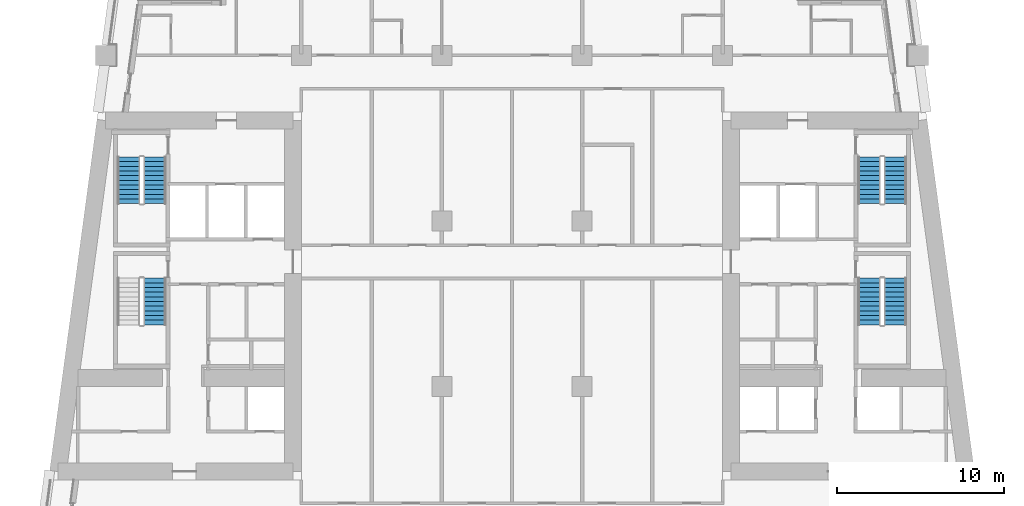
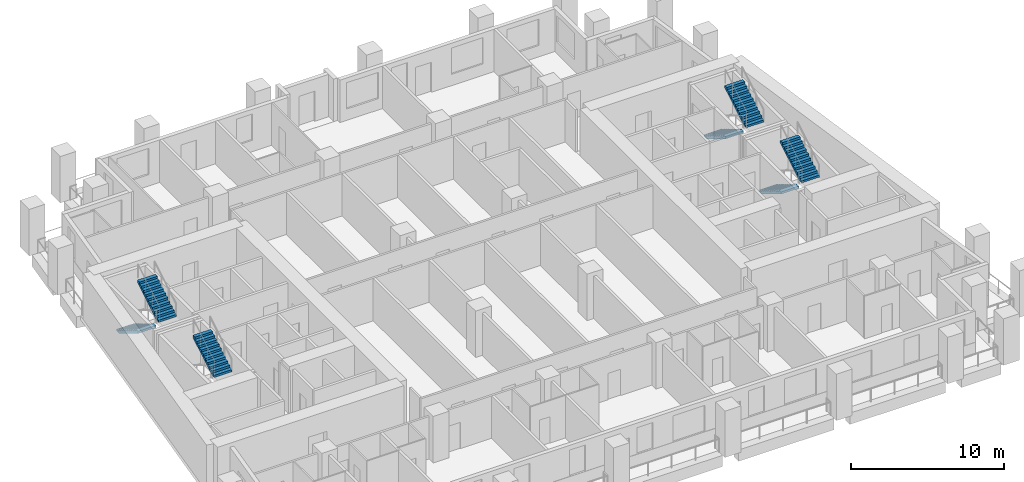
# One storey, part 8 of 13: 7 stair flights, 4 elements without a shape of their own.
"""IFC4 building model written with IfcOpenShell, lengths in metres."""

from ifc_helpers import new_model, si_unit, direction, frame, origin, place, context, subcontext, project, spatial, polyline, outline, extrude, material, type_object, element, aggregate, save


model = new_model("IFC4")

# Units and contexts
model_context = context("Model", 3, precision=1e-05, world=origin(), true_north=direction((0.0, 1.0)))
body_context = subcontext(model_context, "Body", "Model", "MODEL_VIEW")
ifc_project = project(units=[si_unit("LENGTHUNIT", "METRE"), si_unit("AREAUNIT", "SQUARE_METRE"), si_unit("VOLUMEUNIT", "CUBIC_METRE"), si_unit("PLANEANGLEUNIT", "RADIAN"), si_unit("MASSUNIT", "GRAM", prefix="KILO")], contexts=[model_context])

# Site, building, storey
site_placement = place(None, origin())
site = spatial("IfcSite", under=ifc_project, at=site_placement, CompositionType="ELEMENT")
building_placement = place(site_placement, origin())
building = spatial("IfcBuilding", under=site, at=building_placement, Name="Candeia Pilgrim Tower and Theatre", CompositionType="ELEMENT")
storey_placement = place(building_placement, frame((0.0, 0.0, 105.800048828125)))
storey = spatial("IfcBuildingStorey", under=building, at=storey_placement, Name="L24", CompositionType="ELEMENT", Elevation=105.800048828125)

# Stair, stair flight
ifc_material = material(Name="Concrete C40/50", Category="concrete")
stair_type = type_object("IfcStairType", Name="ST-TWR dog-leg escape stair", PredefinedType="HALF_TURN_STAIR", material=ifc_material)
stair_1_placement = place(storey_placement, origin())
stair_1 = element("IfcStair", 1, at=stair_1_placement, inside=storey, type_object=stair_type, Name="L24 Escape stair ST1", PredefinedType="HALF_TURN_STAIR")
stair_flight_type = type_object("IfcStairFlightType", Name="SFL-RC stair flight", PredefinedType="STRAIGHT", material=ifc_material)
stair_flight_1_placement = place(storey_placement, frame((92.027099609375, 119.675048828125, 1.849853515625), z_axis=(0.0, 0.0, 1.0), x_axis=(0.0, 1.0, 0.0)))
stair_flight_1 = element("IfcStairFlight", 2, at=stair_flight_1_placement, type_object=stair_flight_type, Name="ST1 flight 2", NumberOfRisers=11, NumberOfTreads=10, PredefinedType="STRAIGHT", RiserHeight=0.168181818, TreadLength=0.28, context=body_context, shape_type="SweptSolid", body=[
    extrude(outline(polyline([(0.0, 0.0), (0.0, 0.168212890625), (0.280029296875, 0.168212890625), (0.280029296875, 0.33642578125), (0.56005859375, 0.33642578125), (0.56005859375, 0.504638671875), (0.840087890625, 0.504638671875), (0.840087890625, 0.672607421875), (1.1201171875, 0.672607421875), (1.1201171875, 0.8408203125), (1.39990234375, 0.8408203125), (1.39990234375, 1.009033203125), (1.679931640625, 1.009033203125), (1.679931640625, 1.17724609375), (1.9599609375, 1.17724609375), (1.9599609375, 1.345458984375), (2.239990234375, 1.345458984375), (2.239990234375, 1.513671875), (2.52001953125, 1.513671875), (2.52001953125, 1.681884765625), (2.800048828125, 1.681884765625), (2.800048828125, 1.85009765625), (2.800048828125, 1.5068359375), (0.291015625, 0.0), (0.0, 0.0)])), frame((0.0, 0.675048828125, 0.0), z_axis=(0.0, -1.0, 0.0), x_axis=(1.0, 0.0, 0.0)), (0.0, 0.0, 1.0), 1.35009765625),
])
aggregate(stair_1, [stair_flight_1])

# Stair, stair flights
stair_2_placement = place(storey_placement, origin())
stair_2 = element("IfcStair", 3, at=stair_2_placement, inside=storey, type_object=stair_type, Name="L24 Escape stair ST2", PredefinedType="HALF_TURN_STAIR")
stair_flight_2_placement = place(storey_placement, frame((90.47705078125, 129.72509765625, 0.0), z_axis=(0.0, 0.0, 1.0), x_axis=(0.0, -1.0, 0.0)))
stair_flight_2 = element("IfcStairFlight", 4, at=stair_flight_2_placement, type_object=stair_flight_type, Name="ST2 flight 1", NumberOfRisers=11, NumberOfTreads=10, PredefinedType="STRAIGHT", RiserHeight=0.168181818, TreadLength=0.28, context=body_context, shape_type="SweptSolid", body=[
    extrude(outline(polyline([(0.0, 0.0), (0.0, 0.168212890625), (0.280029296875, 0.168212890625), (0.280029296875, 0.33642578125), (0.56005859375, 0.33642578125), (0.56005859375, 0.504638671875), (0.840087890625, 0.504638671875), (0.840087890625, 0.672607421875), (1.1201171875, 0.672607421875), (1.1201171875, 0.8408203125), (1.39990234375, 0.8408203125), (1.39990234375, 1.009033203125), (1.679931640625, 1.009033203125), (1.679931640625, 1.17724609375), (1.9599609375, 1.17724609375), (1.9599609375, 1.345458984375), (2.239990234375, 1.345458984375), (2.239990234375, 1.513671875), (2.52001953125, 1.513671875), (2.52001953125, 1.681884765625), (2.800048828125, 1.681884765625), (2.800048828125, 1.85009765625), (2.800048828125, 1.5068359375), (0.291015625, 0.0), (0.0, 0.0)])), frame((0.0, 0.675048828125, 0.0), z_axis=(0.0, -1.0, 0.0), x_axis=(1.0, 0.0, 0.0)), (0.0, 0.0, 1.0), 1.35009765625),
])
stair_flight_3_placement = place(storey_placement, frame((92.027099609375, 126.925048828125, 1.849853515625), z_axis=(0.0, 0.0, 1.0), x_axis=(0.0, 1.0, 0.0)))
stair_flight_3 = element("IfcStairFlight", 5, at=stair_flight_3_placement, type_object=stair_flight_type, Name="ST2 flight 2", NumberOfRisers=11, NumberOfTreads=10, PredefinedType="STRAIGHT", RiserHeight=0.168181818, TreadLength=0.28, context=body_context, shape_type="SweptSolid", body=[
    extrude(outline(polyline([(0.0, 0.0), (0.0, 0.168212890625), (0.280029296875, 0.168212890625), (0.280029296875, 0.33642578125), (0.56005859375, 0.33642578125), (0.56005859375, 0.504638671875), (0.840087890625, 0.504638671875), (0.840087890625, 0.672607421875), (1.1201171875, 0.672607421875), (1.1201171875, 0.8408203125), (1.39990234375, 0.8408203125), (1.39990234375, 1.009033203125), (1.679931640625, 1.009033203125), (1.679931640625, 1.17724609375), (1.9599609375, 1.17724609375), (1.9599609375, 1.345458984375), (2.239990234375, 1.345458984375), (2.239990234375, 1.513671875), (2.52001953125, 1.513671875), (2.52001953125, 1.681884765625), (2.800048828125, 1.681884765625), (2.800048828125, 1.85009765625), (2.800048828125, 1.5068359375), (0.291015625, 0.0), (0.0, 0.0)])), frame((0.0, 0.675048828125, 0.0), z_axis=(0.0, -1.0, 0.0), x_axis=(1.0, 0.0, 0.0)), (0.0, 0.0, 1.0), 1.35009765625),
])
aggregate(stair_2, [stair_flight_2, stair_flight_3])

stair_3_placement = place(storey_placement, origin())
stair_3 = element("IfcStair", 6, at=stair_3_placement, inside=storey, type_object=stair_type, Name="L24 Escape stair ST3", PredefinedType="HALF_TURN_STAIR")
stair_flight_4_placement = place(storey_placement, frame((134.77294921875, 122.47509765625, 0.0), z_axis=(0.0, 0.0, 1.0), x_axis=(0.0, -1.0, 0.0)))
stair_flight_4 = element("IfcStairFlight", 7, at=stair_flight_4_placement, type_object=stair_flight_type, Name="ST3 flight 1", NumberOfRisers=11, NumberOfTreads=10, PredefinedType="STRAIGHT", RiserHeight=0.168181818, TreadLength=0.28, context=body_context, shape_type="SweptSolid", body=[
    extrude(outline(polyline([(0.0, 0.0), (0.0, 0.168212890625), (0.280029296875, 0.168212890625), (0.280029296875, 0.33642578125), (0.56005859375, 0.33642578125), (0.56005859375, 0.504638671875), (0.840087890625, 0.504638671875), (0.840087890625, 0.672607421875), (1.1201171875, 0.672607421875), (1.1201171875, 0.8408203125), (1.39990234375, 0.8408203125), (1.39990234375, 1.009033203125), (1.679931640625, 1.009033203125), (1.679931640625, 1.17724609375), (1.9599609375, 1.17724609375), (1.9599609375, 1.345458984375), (2.239990234375, 1.345458984375), (2.239990234375, 1.513671875), (2.52001953125, 1.513671875), (2.52001953125, 1.681884765625), (2.800048828125, 1.681884765625), (2.800048828125, 1.85009765625), (2.800048828125, 1.5068359375), (0.291015625, 0.0), (0.0, 0.0)])), frame((0.0, 0.675048828125, 0.0), z_axis=(0.0, -1.0, 0.0), x_axis=(1.0, 0.0, 0.0)), (0.0, 0.0, 1.0), 1.35009765625),
])
stair_flight_5_placement = place(storey_placement, frame((136.322998046875, 119.675048828125, 1.849853515625), z_axis=(0.0, 0.0, 1.0), x_axis=(0.0, 1.0, 0.0)))
stair_flight_5 = element("IfcStairFlight", 8, at=stair_flight_5_placement, type_object=stair_flight_type, Name="ST3 flight 2", NumberOfRisers=11, NumberOfTreads=10, PredefinedType="STRAIGHT", RiserHeight=0.168181818, TreadLength=0.28, context=body_context, shape_type="SweptSolid", body=[
    extrude(outline(polyline([(0.0, 0.0), (0.0, 0.168212890625), (0.280029296875, 0.168212890625), (0.280029296875, 0.33642578125), (0.56005859375, 0.33642578125), (0.56005859375, 0.504638671875), (0.840087890625, 0.504638671875), (0.840087890625, 0.672607421875), (1.1201171875, 0.672607421875), (1.1201171875, 0.8408203125), (1.39990234375, 0.8408203125), (1.39990234375, 1.009033203125), (1.679931640625, 1.009033203125), (1.679931640625, 1.17724609375), (1.9599609375, 1.17724609375), (1.9599609375, 1.345458984375), (2.239990234375, 1.345458984375), (2.239990234375, 1.513671875), (2.52001953125, 1.513671875), (2.52001953125, 1.681884765625), (2.800048828125, 1.681884765625), (2.800048828125, 1.85009765625), (2.800048828125, 1.5068359375), (0.291015625, 0.0), (0.0, 0.0)])), frame((0.0, 0.675048828125, 0.0), z_axis=(0.0, -1.0, 0.0), x_axis=(1.0, 0.0, 0.0)), (0.0, 0.0, 1.0), 1.35009765625),
])
aggregate(stair_3, [stair_flight_4, stair_flight_5])

stair_4_placement = place(storey_placement, origin())
stair_4 = element("IfcStair", 9, at=stair_4_placement, inside=storey, type_object=stair_type, Name="L24 Escape stair ST4", PredefinedType="HALF_TURN_STAIR")
stair_flight_6_placement = place(storey_placement, frame((134.77294921875, 129.72509765625, 0.0), z_axis=(0.0, 0.0, 1.0), x_axis=(0.0, -1.0, 0.0)))
stair_flight_6 = element("IfcStairFlight", 10, at=stair_flight_6_placement, type_object=stair_flight_type, Name="ST4 flight 1", NumberOfRisers=11, NumberOfTreads=10, PredefinedType="STRAIGHT", RiserHeight=0.168181818, TreadLength=0.28, context=body_context, shape_type="SweptSolid", body=[
    extrude(outline(polyline([(0.0, 0.0), (0.0, 0.168212890625), (0.280029296875, 0.168212890625), (0.280029296875, 0.33642578125), (0.56005859375, 0.33642578125), (0.56005859375, 0.504638671875), (0.840087890625, 0.504638671875), (0.840087890625, 0.672607421875), (1.1201171875, 0.672607421875), (1.1201171875, 0.8408203125), (1.39990234375, 0.8408203125), (1.39990234375, 1.009033203125), (1.679931640625, 1.009033203125), (1.679931640625, 1.17724609375), (1.9599609375, 1.17724609375), (1.9599609375, 1.345458984375), (2.239990234375, 1.345458984375), (2.239990234375, 1.513671875), (2.52001953125, 1.513671875), (2.52001953125, 1.681884765625), (2.800048828125, 1.681884765625), (2.800048828125, 1.85009765625), (2.800048828125, 1.5068359375), (0.291015625, 0.0), (0.0, 0.0)])), frame((0.0, 0.675048828125, 0.0), z_axis=(0.0, -1.0, 0.0), x_axis=(1.0, 0.0, 0.0)), (0.0, 0.0, 1.0), 1.35009765625),
])
stair_flight_7_placement = place(storey_placement, frame((136.322998046875, 126.925048828125, 1.849853515625), z_axis=(0.0, 0.0, 1.0), x_axis=(0.0, 1.0, 0.0)))
stair_flight_7 = element("IfcStairFlight", 11, at=stair_flight_7_placement, type_object=stair_flight_type, Name="ST4 flight 2", NumberOfRisers=11, NumberOfTreads=10, PredefinedType="STRAIGHT", RiserHeight=0.168181818, TreadLength=0.28, context=body_context, shape_type="SweptSolid", body=[
    extrude(outline(polyline([(0.0, 0.0), (0.0, 0.168212890625), (0.280029296875, 0.168212890625), (0.280029296875, 0.33642578125), (0.56005859375, 0.33642578125), (0.56005859375, 0.504638671875), (0.840087890625, 0.504638671875), (0.840087890625, 0.672607421875), (1.1201171875, 0.672607421875), (1.1201171875, 0.8408203125), (1.39990234375, 0.8408203125), (1.39990234375, 1.009033203125), (1.679931640625, 1.009033203125), (1.679931640625, 1.17724609375), (1.9599609375, 1.17724609375), (1.9599609375, 1.345458984375), (2.239990234375, 1.345458984375), (2.239990234375, 1.513671875), (2.52001953125, 1.513671875), (2.52001953125, 1.681884765625), (2.800048828125, 1.681884765625), (2.800048828125, 1.85009765625), (2.800048828125, 1.5068359375), (0.291015625, 0.0), (0.0, 0.0)])), frame((0.0, 0.675048828125, 0.0), z_axis=(0.0, -1.0, 0.0), x_axis=(1.0, 0.0, 0.0)), (0.0, 0.0, 1.0), 1.35009765625),
])
aggregate(stair_4, [stair_flight_6, stair_flight_7])

save(model, "model.ifc")
